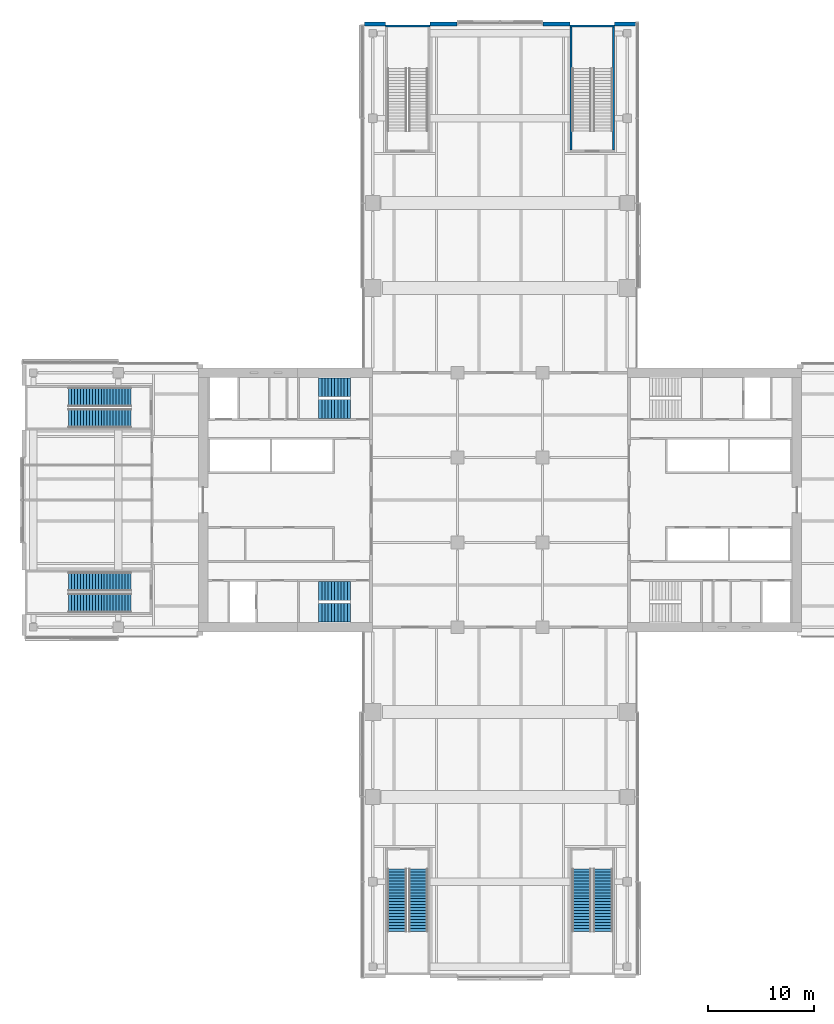
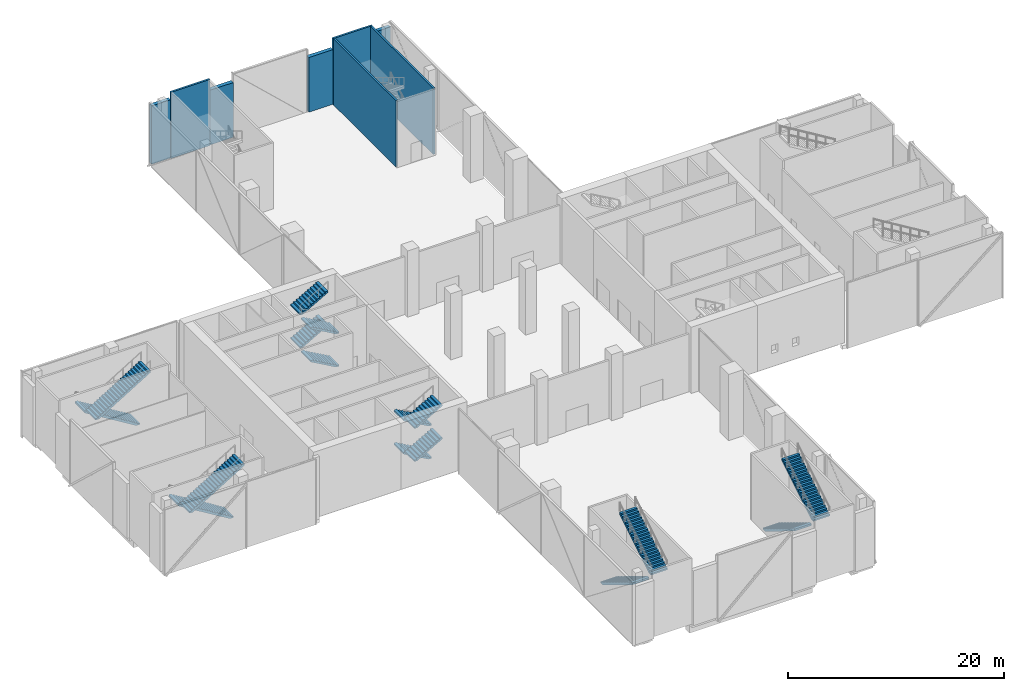
# One storey, part 18 of 25: 16 stair flights, 8 walls, 6 elements without a shape of their own.
"""IFC4 building model written with IfcOpenShell, lengths in metres."""

from ifc_helpers import new_model, si_unit, direction, frame, frame_2d, origin, place, context, subcontext, project, spatial, polyline, rectangle, outline, extrude, material, layer, layer_set, type_object, element, aggregate, save


model = new_model("IFC4")

# Units and contexts
model_context = context("Model", 3, precision=1e-05, world=origin(), true_north=direction((0.0, 1.0)))
body_context = subcontext(model_context, "Body", "Model", "MODEL_VIEW")
ifc_project = project(units=[si_unit("LENGTHUNIT", "METRE"), si_unit("AREAUNIT", "SQUARE_METRE"), si_unit("VOLUMEUNIT", "CUBIC_METRE"), si_unit("PLANEANGLEUNIT", "RADIAN"), si_unit("MASSUNIT", "GRAM", prefix="KILO")], contexts=[model_context])

# Site, building, storey
site_placement = place(None, origin())
site = spatial("IfcSite", under=ifc_project, at=site_placement, CompositionType="ELEMENT")
building_placement = place(site_placement, origin())
building = spatial("IfcBuilding", under=site, at=building_placement, Name="Crosswind Convention Tower", CompositionType="ELEMENT")
storey_placement = place(building_placement, frame((0.0, 0.0, 10.0)))
storey = spatial("IfcBuildingStorey", under=building, at=storey_placement, Name="L01", CompositionType="ELEMENT", Elevation=10.0)

# Walls
ifc_material_1 = material(Name="Concrete C40/50", Category="concrete")
ifc_layer_1 = layer(ifc_material_1, 0.199951171875)
ifc_layer_set_1 = layer_set([ifc_layer_1], Name="Concrete C40/50")
wall_type_1 = type_object("IfcWallType", Name="STAIR ENCLOSURE WALL 200", PredefinedType="SOLIDWALL", material=ifc_layer_set_1)
for number, where, z_axis, x_axis, name in (
    (1, (114.199951171875, 144.699951171875, 0.0), (0.0, 0.0, 1.0), (1.0, 0.0, 0.0), "Stair Enclosure Wall 25"),
    (2, (131.60009765625, 144.699951171875, 0.0), (0.0, 0.0, 1.0), (1.0, 0.0, 0.0), "Stair Enclosure Wall 26"),
):
    element("IfcWall", number, at=place(storey_placement, frame(where, z_axis=z_axis, x_axis=x_axis)), inside=storey, type_object=wall_type_1, Name=name, PredefinedType="SOLIDWALL", context=body_context, shape_type="SweptSolid", body=[
        extrude(rectangle(XDim=4.199951171875, YDim=0.199951171875, at=frame_2d((2.10009765625, 0.0))), origin(), (0.0, 0.0, 1.0), 7.5),
    ])
for number, where, z_axis, x_axis, name in (
    (3, (131.699951171875, 133.0, 0.0), (0.0, 0.0, 1.0), (0.0, 1.0, 0.0), "Stair Enclosure Wall 38"),
    (4, (135.699951171875, 133.0, 0.0), (0.0, 0.0, 1.0), (0.0, 1.0, 0.0), "Stair Enclosure Wall 40"),
):
    element("IfcWall", number, at=place(storey_placement, frame(where, z_axis=z_axis, x_axis=x_axis)), inside=storey, type_object=wall_type_1, Name=name, PredefinedType="SOLIDWALL", context=body_context, shape_type="SweptSolid", body=[
        extrude(rectangle(XDim=11.60009765625, YDim=0.199951171875, at=frame_2d((5.800048828125, 0.0))), origin(), (0.0, 0.0, 1.0), 7.5),
    ])
ifc_material_2 = material(Name="Terracotta rainscreen", Category="ceramic")
ifc_layer_2 = layer(ifc_material_2, 0.02001953125)
ifc_material_3 = material(Name="Mineral wool insulation", Category="insulation")
ifc_layer_3 = layer(ifc_material_3, 0.10009765625)
ifc_material_4 = material(Name="Concrete blockwork", Category="masonry")
ifc_layer_4 = layer(ifc_material_4, 0.280029296875)
ifc_layer_set_2 = layer_set([ifc_layer_2, ifc_layer_3, ifc_layer_4], Name="TERRACOTTA INFILL WALL 400")
wall_type_2 = type_object("IfcWallType", Name="TERRACOTTA INFILL WALL 400", PredefinedType="SOLIDWALL", material=ifc_layer_set_2)
wall_1_placement = place(storey_placement, frame((137.800048828125, 144.885009765625, 0.0), z_axis=(0.0, 0.0, 1.0), x_axis=(-1.0, 0.0, 0.0)))
element("IfcWall", 5, at=wall_1_placement, inside=storey, type_object=wall_type_2, Name="Stair enclosure side wall L01 N-TIP.1-1.1", PredefinedType="SOLIDWALL", context=body_context, shape_type="SweptSolid", body=[
    extrude(rectangle(XDim=2.0, YDim=0.39990234375, at=frame_2d((1.0, 0.0))), origin(), (0.0, 0.0, 1.0), 6.60009765625),
])
for number, where, z_axis, x_axis, name in (
    (6, (131.60009765625, 144.885009765625, 0.0), (0.0, 0.0, 1.0), (-1.0, 0.0, 0.0), "Stair enclosure side wall L01 N-TIP.1-1.2"),
    (7, (120.9599609375, 144.885009765625, 0.0), (0.0, 0.0, 1.0), (-1.0, 0.0, 0.0), "Stair enclosure side wall L01 N-TIP.1-3.1"),
):
    element("IfcWall", number, at=place(storey_placement, frame(where, z_axis=z_axis, x_axis=x_axis)), inside=storey, type_object=wall_type_2, Name=name, PredefinedType="SOLIDWALL", context=body_context, shape_type="SweptSolid", body=[
        extrude(rectangle(XDim=2.56005859375, YDim=0.39990234375, at=frame_2d((1.280029296875, 0.0))), origin(), (0.0, 0.0, 1.0), 6.199951171875),
    ])
wall_2_placement = place(storey_placement, frame((114.199951171875, 144.885009765625, 0.0), z_axis=(0.0, 0.0, 1.0), x_axis=(-1.0, 0.0, 0.0)))
element("IfcWall", 8, at=wall_2_placement, inside=storey, type_object=wall_type_2, Name="Stair enclosure side wall L01 N-TIP.1-3.2", PredefinedType="SOLIDWALL", context=body_context, shape_type="SweptSolid", body=[
    extrude(rectangle(XDim=2.0, YDim=0.39990234375, at=frame_2d((1.0, 0.0))), origin(), (0.0, 0.0, 1.0), 6.60009765625),
])

# Stair, stair flights
stair_type_1 = type_object("IfcStairType", Name="PODIUM EXIT STAIR 7500 RISE", PredefinedType="HALF_TURN_STAIR", material=ifc_material_1)
stair_1_placement = place(storey_placement, origin())
stair_1 = element("IfcStair", 9, at=stair_1_placement, inside=storey, type_object=stair_type_1, Name="Exit stair S1 L01", ObjectType="ST11", PredefinedType="HALF_TURN_STAIR")
stair_flight_type_1 = type_object("IfcStairFlightType", Name="PODIUM STAIR FLIGHT 22 RISERS", PredefinedType="STRAIGHT", material=ifc_material_1)
stair_flight_1_placement = place(storey_placement, frame((115.300048828125, 65.199951171875, 0.0), z_axis=(0.0, 0.0, 1.0), x_axis=(0.0, -1.0, 0.0)))
stair_flight_1 = element("IfcStairFlight", 10, at=stair_flight_1_placement, type_object=stair_flight_type_1, Name="ST11 flight 1", NumberOfRisers=22, NumberOfTreads=21, PredefinedType="STRAIGHT", RiserHeight=0.170455, TreadLength=0.28, context=body_context, shape_type="SweptSolid", body=[
    extrude(outline(polyline([(0.0, 0.0), (0.0, 0.17041015625), (0.280029296875, 0.17041015625), (0.280029296875, 0.3408203125), (0.56005859375, 0.3408203125), (0.56005859375, 0.511474609375), (0.840087890625, 0.511474609375), (0.840087890625, 0.681884765625), (1.1201171875, 0.681884765625), (1.1201171875, 0.852294921875), (1.39990234375, 0.852294921875), (1.39990234375, 1.022705078125), (1.679931640625, 1.022705078125), (1.679931640625, 1.193115234375), (1.9599609375, 1.193115234375), (1.9599609375, 1.363525390625), (2.239990234375, 1.363525390625), (2.239990234375, 1.5341796875), (2.52001953125, 1.5341796875), (2.52001953125, 1.70458984375), (2.800048828125, 1.70458984375), (2.800048828125, 1.875), (3.080078125, 1.875), (3.080078125, 2.04541015625), (3.360107421875, 2.04541015625), (3.360107421875, 2.2158203125), (3.639892578125, 2.2158203125), (3.639892578125, 2.386474609375), (3.919921875, 2.386474609375), (3.919921875, 2.556884765625), (4.199951171875, 2.556884765625), (4.199951171875, 2.727294921875), (4.47998046875, 2.727294921875), (4.47998046875, 2.897705078125), (4.760009765625, 2.897705078125), (4.760009765625, 3.068115234375), (5.0400390625, 3.068115234375), (5.0400390625, 3.238525390625), (5.320068359375, 3.238525390625), (5.320068359375, 3.4091796875), (5.60009765625, 3.4091796875), (5.60009765625, 3.57958984375), (5.8798828125, 3.57958984375), (5.8798828125, 3.75), (5.8798828125, 3.345458984375), (0.384521484375, 0.0), (0.0, 0.0)])), frame((0.0, 0.89990234375, 0.0), z_axis=(0.0, -1.0, 0.0), x_axis=(1.0, 0.0, 0.0)), (0.0, 0.0, 1.0), 1.800048828125),
])
stair_flight_2_placement = place(storey_placement, frame((117.300048828125, 59.320068359375, 3.75), z_axis=(0.0, 0.0, 1.0), x_axis=(0.0, 1.0, 0.0)))
stair_flight_2 = element("IfcStairFlight", 11, at=stair_flight_2_placement, type_object=stair_flight_type_1, Name="ST11 flight 2", NumberOfRisers=22, NumberOfTreads=21, PredefinedType="STRAIGHT", RiserHeight=0.170455, TreadLength=0.28, context=body_context, shape_type="SweptSolid", body=[
    extrude(outline(polyline([(0.0, 0.0), (0.0, 0.17041015625), (0.280029296875, 0.17041015625), (0.280029296875, 0.3408203125), (0.56005859375, 0.3408203125), (0.56005859375, 0.511474609375), (0.840087890625, 0.511474609375), (0.840087890625, 0.681884765625), (1.1201171875, 0.681884765625), (1.1201171875, 0.852294921875), (1.39990234375, 0.852294921875), (1.39990234375, 1.022705078125), (1.679931640625, 1.022705078125), (1.679931640625, 1.193115234375), (1.9599609375, 1.193115234375), (1.9599609375, 1.363525390625), (2.239990234375, 1.363525390625), (2.239990234375, 1.5341796875), (2.52001953125, 1.5341796875), (2.52001953125, 1.70458984375), (2.800048828125, 1.70458984375), (2.800048828125, 1.875), (3.080078125, 1.875), (3.080078125, 2.04541015625), (3.360107421875, 2.04541015625), (3.360107421875, 2.2158203125), (3.639892578125, 2.2158203125), (3.639892578125, 2.386474609375), (3.919921875, 2.386474609375), (3.919921875, 2.556884765625), (4.199951171875, 2.556884765625), (4.199951171875, 2.727294921875), (4.47998046875, 2.727294921875), (4.47998046875, 2.897705078125), (4.760009765625, 2.897705078125), (4.760009765625, 3.068115234375), (5.0400390625, 3.068115234375), (5.0400390625, 3.238525390625), (5.320068359375, 3.238525390625), (5.320068359375, 3.4091796875), (5.60009765625, 3.4091796875), (5.60009765625, 3.57958984375), (5.8798828125, 3.57958984375), (5.8798828125, 3.75), (5.8798828125, 3.345458984375), (0.384521484375, 0.0), (0.0, 0.0)])), frame((0.0, 0.89990234375, 0.0), z_axis=(0.0, -1.0, 0.0), x_axis=(1.0, 0.0, 0.0)), (0.0, 0.0, 1.0), 1.800048828125),
])
aggregate(stair_1, [stair_flight_1, stair_flight_2])

stair_2_placement = place(storey_placement, origin())
stair_2 = element("IfcStair", 12, at=stair_2_placement, inside=storey, type_object=stair_type_1, Name="Exit stair S2 L01", ObjectType="ST11", PredefinedType="HALF_TURN_STAIR")
stair_flight_3_placement = place(storey_placement, frame((132.699951171875, 65.199951171875, 0.0), z_axis=(0.0, 0.0, 1.0), x_axis=(0.0, -1.0, 0.0)))
stair_flight_3 = element("IfcStairFlight", 13, at=stair_flight_3_placement, type_object=stair_flight_type_1, Name="ST11 flight 1", NumberOfRisers=22, NumberOfTreads=21, PredefinedType="STRAIGHT", RiserHeight=0.170455, TreadLength=0.28, context=body_context, shape_type="SweptSolid", body=[
    extrude(outline(polyline([(0.0, 0.0), (0.0, 0.17041015625), (0.280029296875, 0.17041015625), (0.280029296875, 0.3408203125), (0.56005859375, 0.3408203125), (0.56005859375, 0.511474609375), (0.840087890625, 0.511474609375), (0.840087890625, 0.681884765625), (1.1201171875, 0.681884765625), (1.1201171875, 0.852294921875), (1.39990234375, 0.852294921875), (1.39990234375, 1.022705078125), (1.679931640625, 1.022705078125), (1.679931640625, 1.193115234375), (1.9599609375, 1.193115234375), (1.9599609375, 1.363525390625), (2.239990234375, 1.363525390625), (2.239990234375, 1.5341796875), (2.52001953125, 1.5341796875), (2.52001953125, 1.70458984375), (2.800048828125, 1.70458984375), (2.800048828125, 1.875), (3.080078125, 1.875), (3.080078125, 2.04541015625), (3.360107421875, 2.04541015625), (3.360107421875, 2.2158203125), (3.639892578125, 2.2158203125), (3.639892578125, 2.386474609375), (3.919921875, 2.386474609375), (3.919921875, 2.556884765625), (4.199951171875, 2.556884765625), (4.199951171875, 2.727294921875), (4.47998046875, 2.727294921875), (4.47998046875, 2.897705078125), (4.760009765625, 2.897705078125), (4.760009765625, 3.068115234375), (5.0400390625, 3.068115234375), (5.0400390625, 3.238525390625), (5.320068359375, 3.238525390625), (5.320068359375, 3.4091796875), (5.60009765625, 3.4091796875), (5.60009765625, 3.57958984375), (5.8798828125, 3.57958984375), (5.8798828125, 3.75), (5.8798828125, 3.345458984375), (0.384521484375, 0.0), (0.0, 0.0)])), frame((0.0, 0.89990234375, 0.0), z_axis=(0.0, -1.0, 0.0), x_axis=(1.0, 0.0, 0.0)), (0.0, 0.0, 1.0), 1.800048828125),
])
stair_flight_4_placement = place(storey_placement, frame((134.699951171875, 59.320068359375, 3.75), z_axis=(0.0, 0.0, 1.0), x_axis=(0.0, 1.0, 0.0)))
stair_flight_4 = element("IfcStairFlight", 14, at=stair_flight_4_placement, type_object=stair_flight_type_1, Name="ST11 flight 2", NumberOfRisers=22, NumberOfTreads=21, PredefinedType="STRAIGHT", RiserHeight=0.170455, TreadLength=0.28, context=body_context, shape_type="SweptSolid", body=[
    extrude(outline(polyline([(0.0, 0.0), (0.0, 0.17041015625), (0.280029296875, 0.17041015625), (0.280029296875, 0.3408203125), (0.56005859375, 0.3408203125), (0.56005859375, 0.511474609375), (0.840087890625, 0.511474609375), (0.840087890625, 0.681884765625), (1.1201171875, 0.681884765625), (1.1201171875, 0.852294921875), (1.39990234375, 0.852294921875), (1.39990234375, 1.022705078125), (1.679931640625, 1.022705078125), (1.679931640625, 1.193115234375), (1.9599609375, 1.193115234375), (1.9599609375, 1.363525390625), (2.239990234375, 1.363525390625), (2.239990234375, 1.5341796875), (2.52001953125, 1.5341796875), (2.52001953125, 1.70458984375), (2.800048828125, 1.70458984375), (2.800048828125, 1.875), (3.080078125, 1.875), (3.080078125, 2.04541015625), (3.360107421875, 2.04541015625), (3.360107421875, 2.2158203125), (3.639892578125, 2.2158203125), (3.639892578125, 2.386474609375), (3.919921875, 2.386474609375), (3.919921875, 2.556884765625), (4.199951171875, 2.556884765625), (4.199951171875, 2.727294921875), (4.47998046875, 2.727294921875), (4.47998046875, 2.897705078125), (4.760009765625, 2.897705078125), (4.760009765625, 3.068115234375), (5.0400390625, 3.068115234375), (5.0400390625, 3.238525390625), (5.320068359375, 3.238525390625), (5.320068359375, 3.4091796875), (5.60009765625, 3.4091796875), (5.60009765625, 3.57958984375), (5.8798828125, 3.57958984375), (5.8798828125, 3.75), (5.8798828125, 3.345458984375), (0.384521484375, 0.0), (0.0, 0.0)])), frame((0.0, 0.89990234375, 0.0), z_axis=(0.0, -1.0, 0.0), x_axis=(1.0, 0.0, 0.0)), (0.0, 0.0, 1.0), 1.800048828125),
])
aggregate(stair_2, [stair_flight_3, stair_flight_4])

stair_3_placement = place(storey_placement, origin())
stair_3 = element("IfcStair", 15, at=stair_3_placement, inside=storey, type_object=stair_type_1, Name="Exit stair W1 L01", ObjectType="ST11", PredefinedType="HALF_TURN_STAIR")
stair_flight_5_placement = place(storey_placement, frame((90.199951171875, 92.300048828125, 0.0), z_axis=(0.0, 0.0, 1.0), x_axis=(-1.0, 0.0, 0.0)))
stair_flight_5 = element("IfcStairFlight", 16, at=stair_flight_5_placement, type_object=stair_flight_type_1, Name="ST11 flight 1", NumberOfRisers=22, NumberOfTreads=21, PredefinedType="STRAIGHT", RiserHeight=0.170455, TreadLength=0.28, context=body_context, shape_type="SweptSolid", body=[
    extrude(outline(polyline([(0.0, 0.0), (0.0, 0.17041015625), (0.280029296875, 0.17041015625), (0.280029296875, 0.3408203125), (0.56005859375, 0.3408203125), (0.56005859375, 0.511474609375), (0.840087890625, 0.511474609375), (0.840087890625, 0.681884765625), (1.1201171875, 0.681884765625), (1.1201171875, 0.852294921875), (1.39990234375, 0.852294921875), (1.39990234375, 1.022705078125), (1.679931640625, 1.022705078125), (1.679931640625, 1.193115234375), (1.9599609375, 1.193115234375), (1.9599609375, 1.363525390625), (2.239990234375, 1.363525390625), (2.239990234375, 1.5341796875), (2.52001953125, 1.5341796875), (2.52001953125, 1.70458984375), (2.800048828125, 1.70458984375), (2.800048828125, 1.875), (3.080078125, 1.875), (3.080078125, 2.04541015625), (3.360107421875, 2.04541015625), (3.360107421875, 2.2158203125), (3.639892578125, 2.2158203125), (3.639892578125, 2.386474609375), (3.919921875, 2.386474609375), (3.919921875, 2.556884765625), (4.199951171875, 2.556884765625), (4.199951171875, 2.727294921875), (4.47998046875, 2.727294921875), (4.47998046875, 2.897705078125), (4.760009765625, 2.897705078125), (4.760009765625, 3.068115234375), (5.0400390625, 3.068115234375), (5.0400390625, 3.238525390625), (5.320068359375, 3.238525390625), (5.320068359375, 3.4091796875), (5.60009765625, 3.4091796875), (5.60009765625, 3.57958984375), (5.8798828125, 3.57958984375), (5.8798828125, 3.75), (5.8798828125, 3.345458984375), (0.384521484375, 0.0), (0.0, 0.0)])), frame((0.0, 0.89990234375, 0.0), z_axis=(0.0, -1.0, 0.0), x_axis=(1.0, 0.0, 0.0)), (0.0, 0.0, 1.0), 1.800048828125),
])
stair_flight_6_placement = place(storey_placement, frame((84.320068359375, 90.300048828125, 3.75), z_axis=(0.0, 0.0, 1.0), x_axis=(1.0, 0.0, 0.0)))
stair_flight_6 = element("IfcStairFlight", 17, at=stair_flight_6_placement, type_object=stair_flight_type_1, Name="ST11 flight 2", NumberOfRisers=22, NumberOfTreads=21, PredefinedType="STRAIGHT", RiserHeight=0.170455, TreadLength=0.28, context=body_context, shape_type="SweptSolid", body=[
    extrude(outline(polyline([(0.0, 0.0), (0.0, 0.17041015625), (0.280029296875, 0.17041015625), (0.280029296875, 0.3408203125), (0.56005859375, 0.3408203125), (0.56005859375, 0.511474609375), (0.840087890625, 0.511474609375), (0.840087890625, 0.681884765625), (1.1201171875, 0.681884765625), (1.1201171875, 0.852294921875), (1.39990234375, 0.852294921875), (1.39990234375, 1.022705078125), (1.679931640625, 1.022705078125), (1.679931640625, 1.193115234375), (1.9599609375, 1.193115234375), (1.9599609375, 1.363525390625), (2.239990234375, 1.363525390625), (2.239990234375, 1.5341796875), (2.52001953125, 1.5341796875), (2.52001953125, 1.70458984375), (2.800048828125, 1.70458984375), (2.800048828125, 1.875), (3.080078125, 1.875), (3.080078125, 2.04541015625), (3.360107421875, 2.04541015625), (3.360107421875, 2.2158203125), (3.639892578125, 2.2158203125), (3.639892578125, 2.386474609375), (3.919921875, 2.386474609375), (3.919921875, 2.556884765625), (4.199951171875, 2.556884765625), (4.199951171875, 2.727294921875), (4.47998046875, 2.727294921875), (4.47998046875, 2.897705078125), (4.760009765625, 2.897705078125), (4.760009765625, 3.068115234375), (5.0400390625, 3.068115234375), (5.0400390625, 3.238525390625), (5.320068359375, 3.238525390625), (5.320068359375, 3.4091796875), (5.60009765625, 3.4091796875), (5.60009765625, 3.57958984375), (5.8798828125, 3.57958984375), (5.8798828125, 3.75), (5.8798828125, 3.345458984375), (0.384521484375, 0.0), (0.0, 0.0)])), frame((0.0, 0.89990234375, 0.0), z_axis=(0.0, -1.0, 0.0), x_axis=(1.0, 0.0, 0.0)), (0.0, 0.0, 1.0), 1.800048828125),
])
aggregate(stair_3, [stair_flight_5, stair_flight_6])

stair_4_placement = place(storey_placement, origin())
stair_4 = element("IfcStair", 18, at=stair_4_placement, inside=storey, type_object=stair_type_1, Name="Exit stair W2 L01", ObjectType="ST11", PredefinedType="HALF_TURN_STAIR")
stair_flight_7_placement = place(storey_placement, frame((90.199951171875, 109.699951171875, 0.0), z_axis=(0.0, 0.0, 1.0), x_axis=(-1.0, 0.0, 0.0)))
stair_flight_7 = element("IfcStairFlight", 19, at=stair_flight_7_placement, type_object=stair_flight_type_1, Name="ST11 flight 1", NumberOfRisers=22, NumberOfTreads=21, PredefinedType="STRAIGHT", RiserHeight=0.170455, TreadLength=0.28, context=body_context, shape_type="SweptSolid", body=[
    extrude(outline(polyline([(0.0, 0.0), (0.0, 0.17041015625), (0.280029296875, 0.17041015625), (0.280029296875, 0.3408203125), (0.56005859375, 0.3408203125), (0.56005859375, 0.511474609375), (0.840087890625, 0.511474609375), (0.840087890625, 0.681884765625), (1.1201171875, 0.681884765625), (1.1201171875, 0.852294921875), (1.39990234375, 0.852294921875), (1.39990234375, 1.022705078125), (1.679931640625, 1.022705078125), (1.679931640625, 1.193115234375), (1.9599609375, 1.193115234375), (1.9599609375, 1.363525390625), (2.239990234375, 1.363525390625), (2.239990234375, 1.5341796875), (2.52001953125, 1.5341796875), (2.52001953125, 1.70458984375), (2.800048828125, 1.70458984375), (2.800048828125, 1.875), (3.080078125, 1.875), (3.080078125, 2.04541015625), (3.360107421875, 2.04541015625), (3.360107421875, 2.2158203125), (3.639892578125, 2.2158203125), (3.639892578125, 2.386474609375), (3.919921875, 2.386474609375), (3.919921875, 2.556884765625), (4.199951171875, 2.556884765625), (4.199951171875, 2.727294921875), (4.47998046875, 2.727294921875), (4.47998046875, 2.897705078125), (4.760009765625, 2.897705078125), (4.760009765625, 3.068115234375), (5.0400390625, 3.068115234375), (5.0400390625, 3.238525390625), (5.320068359375, 3.238525390625), (5.320068359375, 3.4091796875), (5.60009765625, 3.4091796875), (5.60009765625, 3.57958984375), (5.8798828125, 3.57958984375), (5.8798828125, 3.75), (5.8798828125, 3.345458984375), (0.384521484375, 0.0), (0.0, 0.0)])), frame((0.0, 0.89990234375, 0.0), z_axis=(0.0, -1.0, 0.0), x_axis=(1.0, 0.0, 0.0)), (0.0, 0.0, 1.0), 1.800048828125),
])
stair_flight_8_placement = place(storey_placement, frame((84.320068359375, 107.699951171875, 3.75), z_axis=(0.0, 0.0, 1.0), x_axis=(1.0, 0.0, 0.0)))
stair_flight_8 = element("IfcStairFlight", 20, at=stair_flight_8_placement, type_object=stair_flight_type_1, Name="ST11 flight 2", NumberOfRisers=22, NumberOfTreads=21, PredefinedType="STRAIGHT", RiserHeight=0.170455, TreadLength=0.28, context=body_context, shape_type="SweptSolid", body=[
    extrude(outline(polyline([(0.0, 0.0), (0.0, 0.17041015625), (0.280029296875, 0.17041015625), (0.280029296875, 0.3408203125), (0.56005859375, 0.3408203125), (0.56005859375, 0.511474609375), (0.840087890625, 0.511474609375), (0.840087890625, 0.681884765625), (1.1201171875, 0.681884765625), (1.1201171875, 0.852294921875), (1.39990234375, 0.852294921875), (1.39990234375, 1.022705078125), (1.679931640625, 1.022705078125), (1.679931640625, 1.193115234375), (1.9599609375, 1.193115234375), (1.9599609375, 1.363525390625), (2.239990234375, 1.363525390625), (2.239990234375, 1.5341796875), (2.52001953125, 1.5341796875), (2.52001953125, 1.70458984375), (2.800048828125, 1.70458984375), (2.800048828125, 1.875), (3.080078125, 1.875), (3.080078125, 2.04541015625), (3.360107421875, 2.04541015625), (3.360107421875, 2.2158203125), (3.639892578125, 2.2158203125), (3.639892578125, 2.386474609375), (3.919921875, 2.386474609375), (3.919921875, 2.556884765625), (4.199951171875, 2.556884765625), (4.199951171875, 2.727294921875), (4.47998046875, 2.727294921875), (4.47998046875, 2.897705078125), (4.760009765625, 2.897705078125), (4.760009765625, 3.068115234375), (5.0400390625, 3.068115234375), (5.0400390625, 3.238525390625), (5.320068359375, 3.238525390625), (5.320068359375, 3.4091796875), (5.60009765625, 3.4091796875), (5.60009765625, 3.57958984375), (5.8798828125, 3.57958984375), (5.8798828125, 3.75), (5.8798828125, 3.345458984375), (0.384521484375, 0.0), (0.0, 0.0)])), frame((0.0, 0.89990234375, 0.0), z_axis=(0.0, -1.0, 0.0), x_axis=(1.0, 0.0, 0.0)), (0.0, 0.0, 1.0), 1.800048828125),
])
aggregate(stair_4, [stair_flight_7, stair_flight_8])

stair_type_2 = type_object("IfcStairType", Name="Exit stair 1800 wide, 4 flights of 11 risers", PredefinedType="HALF_TURN_STAIR", material=ifc_material_1)
stair_5_placement = place(storey_placement, origin())
stair_5 = element("IfcStair", 21, at=stair_5_placement, inside=storey, type_object=stair_type_2, Name="Exit stair ST3 L01", ObjectType="ST6", PredefinedType="HALF_TURN_STAIR")
stair_flight_type_2 = type_object("IfcStairFlightType", Name="Stair flight 1800 wide, 11 risers (SF3)", PredefinedType="STRAIGHT", material=ifc_material_1)
stair_flight_9_placement = place(storey_placement, frame((110.89990234375, 91.39990234375, 0.0), z_axis=(0.0, 0.0, 1.0), x_axis=(-1.0, 0.0, 0.0)))
stair_flight_9 = element("IfcStairFlight", 22, at=stair_flight_9_placement, type_object=stair_flight_type_2, Name="ST3 flight 1", NumberOfRisers=11, NumberOfTreads=10, PredefinedType="STRAIGHT", RiserHeight=0.170454545, TreadLength=0.3, context=body_context, shape_type="SweptSolid", body=[
    extrude(outline(polyline([(0.0, 0.0), (0.0, 0.17041015625), (0.300048828125, 0.17041015625), (0.300048828125, 0.3408203125), (0.60009765625, 0.3408203125), (0.60009765625, 0.511474609375), (0.89990234375, 0.511474609375), (0.89990234375, 0.681884765625), (1.199951171875, 0.681884765625), (1.199951171875, 0.852294921875), (1.5, 0.852294921875), (1.5, 1.022705078125), (1.800048828125, 1.022705078125), (1.800048828125, 1.193115234375), (2.10009765625, 1.193115234375), (2.10009765625, 1.363525390625), (2.39990234375, 1.363525390625), (2.39990234375, 1.5341796875), (2.699951171875, 1.5341796875), (2.699951171875, 1.70458984375), (3.0, 1.70458984375), (3.0, 1.875), (3.0, 1.5322265625), (0.303466796875, 0.0), (0.0, 0.0)])), frame((0.0, 0.89990234375, 0.0), z_axis=(0.0, -1.0, 0.0), x_axis=(1.0, 0.0, 0.0)), (0.0, 0.0, 1.0), 1.800048828125),
])
stair_flight_10_placement = place(storey_placement, frame((107.89990234375, 89.39990234375, 1.875), z_axis=(0.0, 0.0, 1.0), x_axis=(1.0, 0.0, 0.0)))
stair_flight_10 = element("IfcStairFlight", 23, at=stair_flight_10_placement, type_object=stair_flight_type_2, Name="ST3 flight 2", NumberOfRisers=11, NumberOfTreads=10, PredefinedType="STRAIGHT", RiserHeight=0.170454545, TreadLength=0.3, context=body_context, shape_type="SweptSolid", body=[
    extrude(outline(polyline([(0.0, 0.0), (0.0, 0.17041015625), (0.300048828125, 0.17041015625), (0.300048828125, 0.3408203125), (0.60009765625, 0.3408203125), (0.60009765625, 0.511474609375), (0.89990234375, 0.511474609375), (0.89990234375, 0.681884765625), (1.199951171875, 0.681884765625), (1.199951171875, 0.852294921875), (1.5, 0.852294921875), (1.5, 1.022705078125), (1.800048828125, 1.022705078125), (1.800048828125, 1.193115234375), (2.10009765625, 1.193115234375), (2.10009765625, 1.363525390625), (2.39990234375, 1.363525390625), (2.39990234375, 1.5341796875), (2.699951171875, 1.5341796875), (2.699951171875, 1.70458984375), (3.0, 1.70458984375), (3.0, 1.875), (3.0, 1.5322265625), (0.303466796875, 0.0), (0.0, 0.0)])), frame((0.0, 0.89990234375, 0.0), z_axis=(0.0, -1.0, 0.0), x_axis=(1.0, 0.0, 0.0)), (0.0, 0.0, 1.0), 1.800048828125),
])
stair_flight_11_placement = place(storey_placement, frame((110.89990234375, 91.39990234375, 3.75), z_axis=(0.0, 0.0, 1.0), x_axis=(-1.0, 0.0, 0.0)))
stair_flight_11 = element("IfcStairFlight", 24, at=stair_flight_11_placement, type_object=stair_flight_type_2, Name="ST3 flight 3", NumberOfRisers=11, NumberOfTreads=10, PredefinedType="STRAIGHT", RiserHeight=0.170454545, TreadLength=0.3, context=body_context, shape_type="SweptSolid", body=[
    extrude(outline(polyline([(0.0, 0.0), (0.0, 0.17041015625), (0.300048828125, 0.17041015625), (0.300048828125, 0.3408203125), (0.60009765625, 0.3408203125), (0.60009765625, 0.511474609375), (0.89990234375, 0.511474609375), (0.89990234375, 0.681884765625), (1.199951171875, 0.681884765625), (1.199951171875, 0.852294921875), (1.5, 0.852294921875), (1.5, 1.022705078125), (1.800048828125, 1.022705078125), (1.800048828125, 1.193115234375), (2.10009765625, 1.193115234375), (2.10009765625, 1.363525390625), (2.39990234375, 1.363525390625), (2.39990234375, 1.5341796875), (2.699951171875, 1.5341796875), (2.699951171875, 1.70458984375), (3.0, 1.70458984375), (3.0, 1.875), (3.0, 1.5322265625), (0.303466796875, 0.0), (0.0, 0.0)])), frame((0.0, 0.89990234375, 0.0), z_axis=(0.0, -1.0, 0.0), x_axis=(1.0, 0.0, 0.0)), (0.0, 0.0, 1.0), 1.800048828125),
])
stair_flight_12_placement = place(storey_placement, frame((107.89990234375, 89.39990234375, 5.625), z_axis=(0.0, 0.0, 1.0), x_axis=(1.0, 0.0, 0.0)))
stair_flight_12 = element("IfcStairFlight", 25, at=stair_flight_12_placement, type_object=stair_flight_type_2, Name="ST3 flight 4", NumberOfRisers=11, NumberOfTreads=10, PredefinedType="STRAIGHT", RiserHeight=0.170454545, TreadLength=0.3, context=body_context, shape_type="SweptSolid", body=[
    extrude(outline(polyline([(0.0, 0.0), (0.0, 0.17041015625), (0.300048828125, 0.17041015625), (0.300048828125, 0.3408203125), (0.60009765625, 0.3408203125), (0.60009765625, 0.511474609375), (0.89990234375, 0.511474609375), (0.89990234375, 0.681884765625), (1.199951171875, 0.681884765625), (1.199951171875, 0.852294921875), (1.5, 0.852294921875), (1.5, 1.022705078125), (1.800048828125, 1.022705078125), (1.800048828125, 1.193115234375), (2.10009765625, 1.193115234375), (2.10009765625, 1.363525390625), (2.39990234375, 1.363525390625), (2.39990234375, 1.5341796875), (2.699951171875, 1.5341796875), (2.699951171875, 1.70458984375), (3.0, 1.70458984375), (3.0, 1.875), (3.0, 1.5322265625), (0.303466796875, 0.0), (0.0, 0.0)])), frame((0.0, 0.89990234375, 0.0), z_axis=(0.0, -1.0, 0.0), x_axis=(1.0, 0.0, 0.0)), (0.0, 0.0, 1.0), 1.800048828125),
])
aggregate(stair_5, [stair_flight_9, stair_flight_10, stair_flight_11, stair_flight_12])

stair_6_placement = place(storey_placement, origin())
stair_6 = element("IfcStair", 26, at=stair_6_placement, inside=storey, type_object=stair_type_2, Name="Exit stair ST4 L01", ObjectType="ST6", PredefinedType="HALF_TURN_STAIR")
stair_flight_13_placement = place(storey_placement, frame((110.89990234375, 108.60009765625, 0.0), z_axis=(0.0, 0.0, 1.0), x_axis=(-1.0, 0.0, 0.0)))
stair_flight_13 = element("IfcStairFlight", 27, at=stair_flight_13_placement, type_object=stair_flight_type_2, Name="ST4 flight 1", NumberOfRisers=11, NumberOfTreads=10, PredefinedType="STRAIGHT", RiserHeight=0.170454545, TreadLength=0.3, context=body_context, shape_type="SweptSolid", body=[
    extrude(outline(polyline([(0.0, 0.0), (0.0, 0.17041015625), (0.300048828125, 0.17041015625), (0.300048828125, 0.3408203125), (0.60009765625, 0.3408203125), (0.60009765625, 0.511474609375), (0.89990234375, 0.511474609375), (0.89990234375, 0.681884765625), (1.199951171875, 0.681884765625), (1.199951171875, 0.852294921875), (1.5, 0.852294921875), (1.5, 1.022705078125), (1.800048828125, 1.022705078125), (1.800048828125, 1.193115234375), (2.10009765625, 1.193115234375), (2.10009765625, 1.363525390625), (2.39990234375, 1.363525390625), (2.39990234375, 1.5341796875), (2.699951171875, 1.5341796875), (2.699951171875, 1.70458984375), (3.0, 1.70458984375), (3.0, 1.875), (3.0, 1.5322265625), (0.303466796875, 0.0), (0.0, 0.0)])), frame((0.0, 0.89990234375, 0.0), z_axis=(0.0, -1.0, 0.0), x_axis=(1.0, 0.0, 0.0)), (0.0, 0.0, 1.0), 1.800048828125),
])
stair_flight_14_placement = place(storey_placement, frame((107.89990234375, 110.60009765625, 1.875), z_axis=(0.0, 0.0, 1.0), x_axis=(1.0, 0.0, 0.0)))
stair_flight_14 = element("IfcStairFlight", 28, at=stair_flight_14_placement, type_object=stair_flight_type_2, Name="ST4 flight 2", NumberOfRisers=11, NumberOfTreads=10, PredefinedType="STRAIGHT", RiserHeight=0.170454545, TreadLength=0.3, context=body_context, shape_type="SweptSolid", body=[
    extrude(outline(polyline([(0.0, 0.0), (0.0, 0.17041015625), (0.300048828125, 0.17041015625), (0.300048828125, 0.3408203125), (0.60009765625, 0.3408203125), (0.60009765625, 0.511474609375), (0.89990234375, 0.511474609375), (0.89990234375, 0.681884765625), (1.199951171875, 0.681884765625), (1.199951171875, 0.852294921875), (1.5, 0.852294921875), (1.5, 1.022705078125), (1.800048828125, 1.022705078125), (1.800048828125, 1.193115234375), (2.10009765625, 1.193115234375), (2.10009765625, 1.363525390625), (2.39990234375, 1.363525390625), (2.39990234375, 1.5341796875), (2.699951171875, 1.5341796875), (2.699951171875, 1.70458984375), (3.0, 1.70458984375), (3.0, 1.875), (3.0, 1.5322265625), (0.303466796875, 0.0), (0.0, 0.0)])), frame((0.0, 0.89990234375, 0.0), z_axis=(0.0, -1.0, 0.0), x_axis=(1.0, 0.0, 0.0)), (0.0, 0.0, 1.0), 1.800048828125),
])
stair_flight_15_placement = place(storey_placement, frame((110.89990234375, 108.60009765625, 3.75), z_axis=(0.0, 0.0, 1.0), x_axis=(-1.0, 0.0, 0.0)))
stair_flight_15 = element("IfcStairFlight", 29, at=stair_flight_15_placement, type_object=stair_flight_type_2, Name="ST4 flight 3", NumberOfRisers=11, NumberOfTreads=10, PredefinedType="STRAIGHT", RiserHeight=0.170454545, TreadLength=0.3, context=body_context, shape_type="SweptSolid", body=[
    extrude(outline(polyline([(0.0, 0.0), (0.0, 0.17041015625), (0.300048828125, 0.17041015625), (0.300048828125, 0.3408203125), (0.60009765625, 0.3408203125), (0.60009765625, 0.511474609375), (0.89990234375, 0.511474609375), (0.89990234375, 0.681884765625), (1.199951171875, 0.681884765625), (1.199951171875, 0.852294921875), (1.5, 0.852294921875), (1.5, 1.022705078125), (1.800048828125, 1.022705078125), (1.800048828125, 1.193115234375), (2.10009765625, 1.193115234375), (2.10009765625, 1.363525390625), (2.39990234375, 1.363525390625), (2.39990234375, 1.5341796875), (2.699951171875, 1.5341796875), (2.699951171875, 1.70458984375), (3.0, 1.70458984375), (3.0, 1.875), (3.0, 1.5322265625), (0.303466796875, 0.0), (0.0, 0.0)])), frame((0.0, 0.89990234375, 0.0), z_axis=(0.0, -1.0, 0.0), x_axis=(1.0, 0.0, 0.0)), (0.0, 0.0, 1.0), 1.800048828125),
])
stair_flight_16_placement = place(storey_placement, frame((107.89990234375, 110.60009765625, 5.625), z_axis=(0.0, 0.0, 1.0), x_axis=(1.0, 0.0, 0.0)))
stair_flight_16 = element("IfcStairFlight", 30, at=stair_flight_16_placement, type_object=stair_flight_type_2, Name="ST4 flight 4", NumberOfRisers=11, NumberOfTreads=10, PredefinedType="STRAIGHT", RiserHeight=0.170454545, TreadLength=0.3, context=body_context, shape_type="SweptSolid", body=[
    extrude(outline(polyline([(0.0, 0.0), (0.0, 0.17041015625), (0.300048828125, 0.17041015625), (0.300048828125, 0.3408203125), (0.60009765625, 0.3408203125), (0.60009765625, 0.511474609375), (0.89990234375, 0.511474609375), (0.89990234375, 0.681884765625), (1.199951171875, 0.681884765625), (1.199951171875, 0.852294921875), (1.5, 0.852294921875), (1.5, 1.022705078125), (1.800048828125, 1.022705078125), (1.800048828125, 1.193115234375), (2.10009765625, 1.193115234375), (2.10009765625, 1.363525390625), (2.39990234375, 1.363525390625), (2.39990234375, 1.5341796875), (2.699951171875, 1.5341796875), (2.699951171875, 1.70458984375), (3.0, 1.70458984375), (3.0, 1.875), (3.0, 1.5322265625), (0.303466796875, 0.0), (0.0, 0.0)])), frame((0.0, 0.89990234375, 0.0), z_axis=(0.0, -1.0, 0.0), x_axis=(1.0, 0.0, 0.0)), (0.0, 0.0, 1.0), 1.800048828125),
])
aggregate(stair_6, [stair_flight_13, stair_flight_14, stair_flight_15, stair_flight_16])

save(model, "model.ifc")
